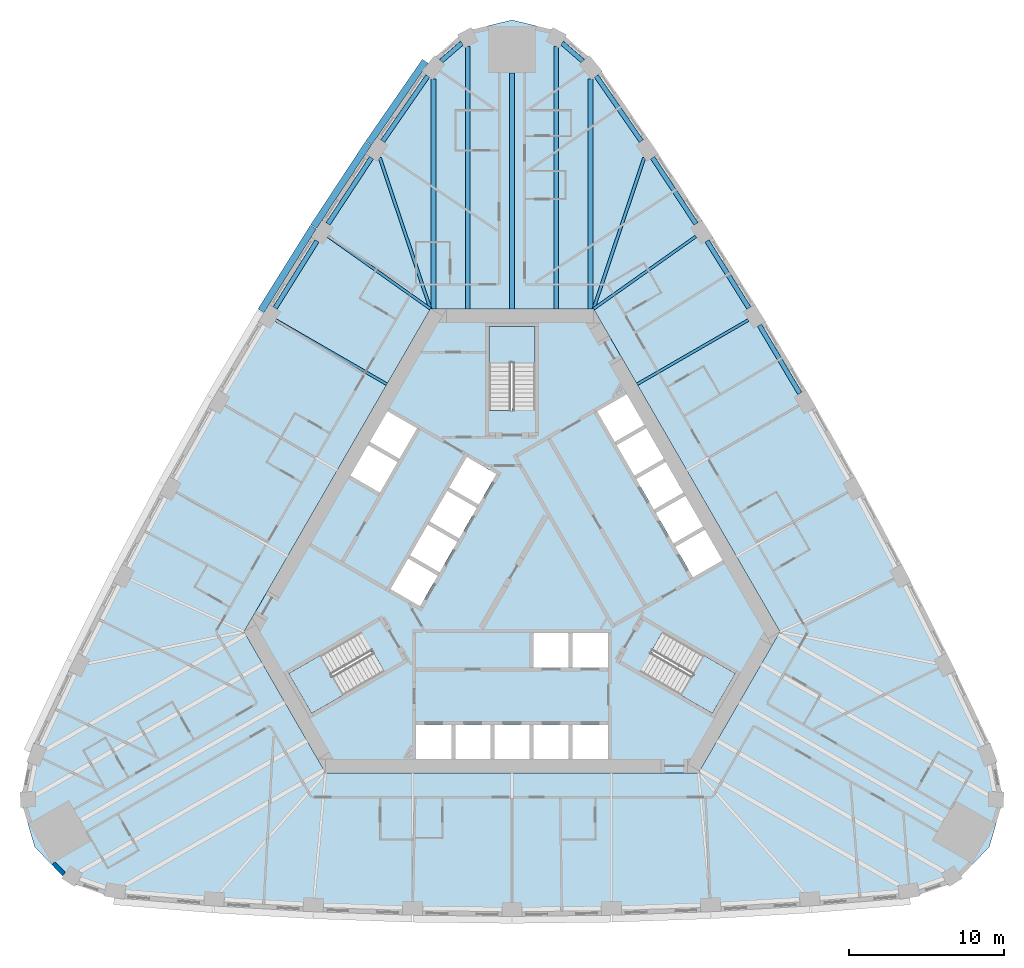
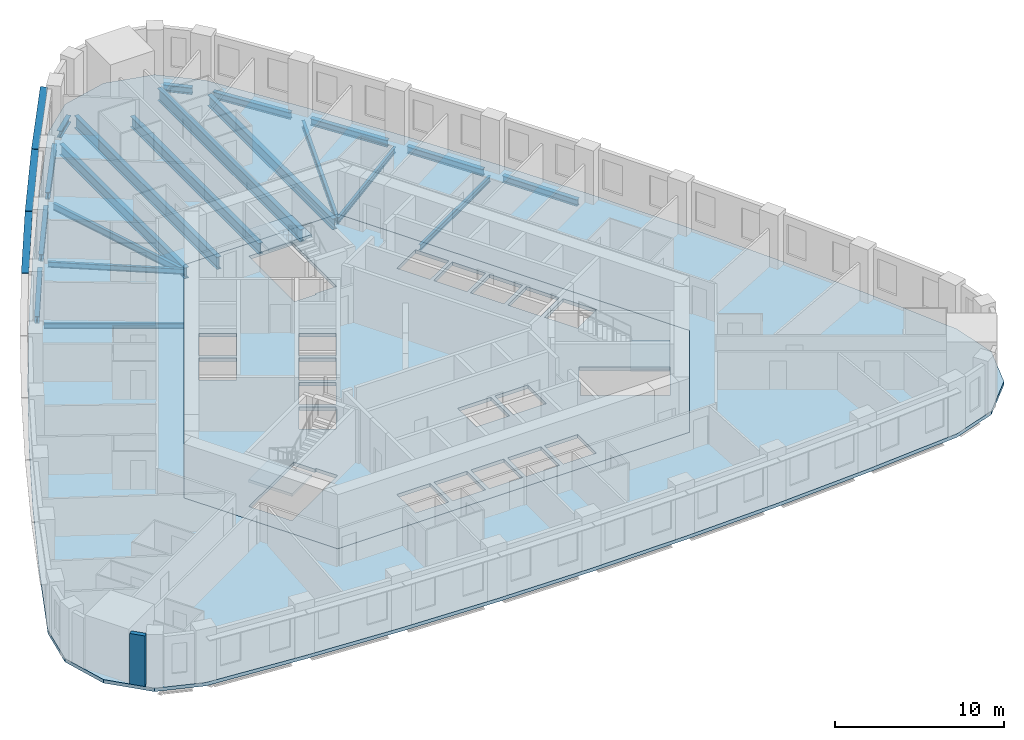
# One storey, part 2 of 12: 20 beams, 5 slabs, 3 members, 1 wall, 3 elements without a shape of their own.
"""IFC4 building model written with IfcOpenShell, lengths in metres."""

from ifc_helpers import new_model, si_unit, direction, frame, frame_2d, origin, origin_2d, place, context, subcontext, project, spatial, polyline, rectangle, i_section, outline, extrude, material, layer, layer_set, material_profile, profile_set, type_object, element, aggregate, save


model = new_model("IFC4")

# Units and contexts
model_context = context("Model", 3, precision=1e-05, world=origin(), true_north=direction((0.0, 1.0)))
body_context = subcontext(model_context, "Body", "Model", "MODEL_VIEW")
ifc_project = project(units=[si_unit("LENGTHUNIT", "METRE"), si_unit("AREAUNIT", "SQUARE_METRE"), si_unit("VOLUMEUNIT", "CUBIC_METRE"), si_unit("PLANEANGLEUNIT", "RADIAN"), si_unit("MASSUNIT", "GRAM", prefix="KILO")], contexts=[model_context])

# Site, building, storey
site_placement = place(None, origin())
site = spatial("IfcSite", under=ifc_project, at=site_placement, CompositionType="ELEMENT")
building_placement = place(site_placement, origin())
building = spatial("IfcBuilding", under=site, at=building_placement, Name="Mestral Congress Tower", CompositionType="ELEMENT")
storey_placement = place(building_placement, frame((0.0, 0.0, 111.0)))
storey = spatial("IfcBuildingStorey", under=building, at=storey_placement, Name="L26", CompositionType="ELEMENT", Elevation=111.0)

# Members
ifc_material_1 = material(Name="Glazed ceramic", Category="masonry")
ifc_material_profile_1 = material_profile(ifc_material_1, rectangle(XDim=0.449951171875, YDim=0.06005859375, at=origin_2d()), Name="Ceramic blade 450 x 60")
ifc_profile_set_1 = profile_set([ifc_material_profile_1], Name="Glazed ceramic")
member_type = type_object("IfcMemberType", Name="Facade sunshade blade 450 x 60", PredefinedType="USERDEFINED", material=ifc_profile_set_1)
member_placement = place(storey_placement, frame((-5.590576171875, 32.8505859375, 3.280029296875), z_axis=(-0.569144736399, -0.822237355652, 0.0), x_axis=(0.822237355652, -0.569144736399, 0.0)))
element("IfcMember", 1, at=member_placement, inside=storey, type_object=member_type, Name="Sunshade F2-00", ObjectType="SUNSHADE", PredefinedType="USERDEFINED", context=body_context, shape_type="SweptSolid", body=[
    extrude(rectangle(XDim=0.449951171875, YDim=0.06005859375, at=origin_2d()), origin(), (0.0, 0.0, 1.0), 6.421630859375),
])
for number, where, z_axis, x_axis, name in (
    (2, (-9.2705078125, 27.532958984375, 3.280029296875), (-0.549764307833, -0.835319822483, 0.0), (0.835319822483, -0.549764307833, 0.0), "Sunshade F2-01"),
    (3, (-12.797119140625, 22.173583984375, 3.280029296875), (-0.530060946156, -0.847959547007, 0.0), (0.847959547007, -0.530060946156, 0.0), "Sunshade F2-02"),
):
    element("IfcMember", number, at=place(storey_placement, frame(where, z_axis=z_axis, x_axis=x_axis)), inside=storey, type_object=member_type, Name=name, ObjectType="SUNSHADE", PredefinedType="USERDEFINED", context=body_context, shape_type="SweptSolid", body=[
        extrude(rectangle(XDim=0.449951171875, YDim=0.06005859375, at=origin_2d()), origin(), (0.0, 0.0, 1.0), 6.370361328125),
    ])

# Beams
ifc_material_2 = material(Name="Steel S355", Category="steel")
ifc_material_profile_2 = material_profile(ifc_material_2, i_section(OverallWidth=0.300048828125, OverallDepth=0.800048828125, WebThickness=0.017578125, FlangeThickness=0.032958984375, FilletRadius=0.030029296875, at=origin_2d()), Name="HEB 800")
ifc_profile_set_2 = profile_set([ifc_material_profile_2], Name="Steel S355")
beam_type_1 = type_object("IfcBeamType", Name="Floor beam HEB 800 S355", PredefinedType="BEAM", material=ifc_profile_set_2)
beam_1_placement = place(storey_placement, frame((5.056396484375, 31.72412109375, -0.64990234375), z_axis=(0.0, -1.0, 0.0), x_axis=(1.0, 0.0, 0.0)))
element("IfcBeam", 4, at=beam_1_placement, inside=storey, type_object=beam_type_1, Name="BM-L26-RB2-E08", PredefinedType="BEAM", context=body_context, shape_type="SweptSolid", body=[
    extrude(i_section(OverallWidth=0.300048828125, OverallDepth=0.800048828125, WebThickness=0.017578125, FlangeThickness=0.032958984375, FilletRadius=0.030029296875, at=origin_2d()), origin(), (0.0, 0.0, 1.0), 14.82421875),
])
beam_2_placement = place(storey_placement, frame((0.0, 32.098388671875, -0.64990234375), z_axis=(0.0, -1.0, 0.0), x_axis=(1.0, 0.0, 0.0)))
element("IfcBeam", 5, at=beam_2_placement, inside=storey, type_object=beam_type_1, Name="BM-L26-RB2-N", PredefinedType="BEAM", context=body_context, shape_type="SweptSolid", body=[
    extrude(i_section(OverallWidth=0.300048828125, OverallDepth=0.800048828125, WebThickness=0.017578125, FlangeThickness=0.032958984375, FilletRadius=0.030029296875, at=origin_2d()), origin(), (0.0, 0.0, 1.0), 15.198486328125),
])
beam_3_placement = place(storey_placement, frame((-5.056396484375, 31.72412109375, -0.64990234375), z_axis=(0.0, -1.0, 0.0), x_axis=(1.0, 0.0, 0.0)))
element("IfcBeam", 6, at=beam_3_placement, inside=storey, type_object=beam_type_1, Name="BM-L26-RB2-W00", PredefinedType="BEAM", context=body_context, shape_type="SweptSolid", body=[
    extrude(i_section(OverallWidth=0.300048828125, OverallDepth=0.800048828125, WebThickness=0.017578125, FlangeThickness=0.032958984375, FilletRadius=0.030029296875, at=origin_2d()), origin(), (0.0, 0.0, 1.0), 14.82421875),
])
ifc_material_profile_3 = material_profile(ifc_material_2, i_section(OverallWidth=0.300048828125, OverallDepth=0.89990234375, WebThickness=0.0185546875, FlangeThickness=0.034912109375, FilletRadius=0.030029296875, at=origin_2d()), Name="HEB 900")
ifc_profile_set_3 = profile_set([ifc_material_profile_3], Name="Steel S355")
beam_type_2 = type_object("IfcBeamType", Name="Floor beam HEB 900 S355", PredefinedType="BEAM", material=ifc_profile_set_3)
for number, where, z_axis, x_axis, name in (
    (7, (2.845703125, 33.794189453125, -0.699951171875), (0.0, -1.0, 0.0), (1.0, 0.0, 0.0), "BM-L26-RB2-N1"),
    (8, (-2.845703125, 33.794189453125, -0.699951171875), (0.0, -1.0, 0.0), (1.0, 0.0, 0.0), "BM-L26-RB2-N3"),
):
    element("IfcBeam", number, at=place(storey_placement, frame(where, z_axis=z_axis, x_axis=x_axis)), inside=storey, type_object=beam_type_2, Name=name, PredefinedType="BEAM", context=body_context, shape_type="SweptSolid", body=[
        extrude(i_section(OverallWidth=0.300048828125, OverallDepth=0.89990234375, WebThickness=0.0185546875, FlangeThickness=0.034912109375, FilletRadius=0.030029296875, at=origin_2d()), origin(), (0.0, 0.0, 1.0), 16.894287109375),
    ])
ifc_material_profile_4 = material_profile(ifc_material_2, i_section(OverallWidth=0.179931640625, OverallDepth=0.39990234375, WebThickness=0.008544921875, FlangeThickness=0.013427734375, FilletRadius=0.02099609375, at=origin_2d()), Name="IPE 400")
ifc_profile_set_4 = profile_set([ifc_material_profile_4], Name="Steel S355")
beam_type_3 = type_object("IfcBeamType", Name="Floor beam IPE 400 S355", PredefinedType="BEAM", material=ifc_profile_set_4)
beam_4_placement = place(storey_placement, frame((15.219482421875, 16.176513671875, -0.449951171875), z_axis=(-0.866015952286, -0.500016370119, 0.0), x_axis=(0.500016370119, -0.866015952286, 0.0)))
element("IfcBeam", 9, at=beam_4_placement, inside=storey, type_object=beam_type_3, Name="BM-L26-RB2-E05", PredefinedType="BEAM", context=body_context, shape_type="SweptSolid", body=[
    extrude(i_section(OverallWidth=0.179931640625, OverallDepth=0.39990234375, WebThickness=0.008544921875, FlangeThickness=0.013427734375, FilletRadius=0.02099609375, at=origin_2d()), origin(), (0.0, 0.0, 1.0), 8.268798828125),
])
for number, where, z_axis, x_axis, name in (
    (10, (11.849365234375, 21.568115234375, -0.449951171875), (-0.816232852676, -0.577723056673, 0.0), (0.577723056673, -0.816232852676, 0.0), "BM-L26-RB2-E06"),
    (11, (-11.849365234375, 21.568115234375, -0.449951171875), (0.816232852676, -0.577723056673, 0.0), (0.577723056673, 0.816232852676, 0.0), "BM-L26-RB2-W02"),
):
    element("IfcBeam", number, at=place(storey_placement, frame(where, z_axis=z_axis, x_axis=x_axis)), inside=storey, type_object=beam_type_3, Name=name, PredefinedType="BEAM", context=body_context, shape_type="SweptSolid", body=[
        extrude(i_section(OverallWidth=0.179931640625, OverallDepth=0.39990234375, WebThickness=0.008544921875, FlangeThickness=0.013427734375, FilletRadius=0.02099609375, at=origin_2d()), origin(), (0.0, 0.0, 1.0), 8.080322265625),
    ])
beam_5_placement = place(storey_placement, frame((-15.219482421875, 16.176513671875, -0.449951171875), z_axis=(0.866015952286, -0.500016370119, 0.0), x_axis=(0.500016370119, 0.866015952286, 0.0)))
element("IfcBeam", 12, at=beam_5_placement, inside=storey, type_object=beam_type_3, Name="BM-L26-RB2-W03", PredefinedType="BEAM", context=body_context, shape_type="SweptSolid", body=[
    extrude(i_section(OverallWidth=0.179931640625, OverallDepth=0.39990234375, WebThickness=0.008544921875, FlangeThickness=0.013427734375, FilletRadius=0.02099609375, at=origin_2d()), origin(), (0.0, 0.0, 1.0), 8.268798828125),
])
ifc_material_profile_5 = material_profile(ifc_material_2, i_section(OverallWidth=0.199951171875, OverallDepth=0.5, WebThickness=0.01025390625, FlangeThickness=0.01611328125, FilletRadius=0.02099609375, at=origin_2d()), Name="IPE 500")
ifc_profile_set_5 = profile_set([ifc_material_profile_5], Name="Steel S355")
beam_type_4 = type_object("IfcBeamType", Name="Floor beam IPE 500 S355", PredefinedType="BEAM", material=ifc_profile_set_5)
for number, where, z_axis, x_axis, name in (
    (13, (8.5185546875, 26.636962890625, -0.5), (-0.317888994992, -0.948127938025, 0.0), (0.948127938025, -0.317888994992, 0.0), "BM-L26-RB2-E07"),
    (14, (-8.5185546875, 26.636962890625, -0.5), (0.317888994992, -0.948127938025, 0.0), (0.948127938025, 0.317888994992, 0.0), "BM-L26-RB2-W01"),
):
    element("IfcBeam", number, at=place(storey_placement, frame(where, z_axis=z_axis, x_axis=x_axis)), inside=storey, type_object=beam_type_4, Name=name, PredefinedType="BEAM", context=body_context, shape_type="SweptSolid", body=[
        extrude(i_section(OverallWidth=0.199951171875, OverallDepth=0.5, WebThickness=0.01025390625, FlangeThickness=0.01611328125, FilletRadius=0.02099609375, at=origin_2d()), origin(), (0.0, 0.0, 1.0), 10.269775390625),
    ])
ifc_material_profile_6 = material_profile(ifc_material_2, i_section(OverallWidth=0.300048828125, OverallDepth=0.489990234375, WebThickness=0.011962890625, FlangeThickness=0.02294921875, FilletRadius=0.027099609375, at=origin_2d()), Name="HEA 500")
ifc_profile_set_6 = profile_set([ifc_material_profile_6], Name="Steel S355")
beam_type_5 = type_object("IfcBeamType", Name="Spandrel beam HEA 500 S355", PredefinedType="BEAM", material=ifc_profile_set_6)
for number, where, z_axis, x_axis, name in (
    (15, (18.542236328125, 11.455810546875, -0.4951171875), (-0.510081870963, 0.860125854114, 0.0), (-0.860125854114, -0.510081870963, 0.0), "SP-L26-SB2-E04"),
    (16, (15.2646484375, 16.95263671875, -0.4951171875), (-0.530046273959, 0.847968718446, 0.0), (-0.847968718446, -0.530046273959, 0.0), "SP-L26-SB2-E05"),
):
    element("IfcBeam", number, at=place(storey_placement, frame(where, z_axis=z_axis, x_axis=x_axis)), inside=storey, type_object=beam_type_5, Name=name, PredefinedType="BEAM", context=body_context, shape_type="SweptSolid", body=[
        extrude(i_section(OverallWidth=0.300048828125, OverallDepth=0.489990234375, WebThickness=0.011962890625, FlangeThickness=0.02294921875, FilletRadius=0.027099609375, at=origin_2d()), origin(), (0.0, 0.0, 1.0), 5.099853515625),
    ])
beam_6_placement = place(storey_placement, frame((11.859619140625, 22.371337890625, -0.4951171875), z_axis=(-0.549729920898, 0.835342453171, 0.0), x_axis=(-0.835342453171, -0.549729920898, 0.0)))
element("IfcBeam", 17, at=beam_6_placement, inside=storey, type_object=beam_type_5, Name="SP-L26-SB2-E06", PredefinedType="BEAM", context=body_context, shape_type="SweptSolid", body=[
    extrude(i_section(OverallWidth=0.300048828125, OverallDepth=0.489990234375, WebThickness=0.011962890625, FlangeThickness=0.02294921875, FilletRadius=0.027099609375, at=origin_2d()), origin(), (0.0, 0.0, 1.0), 5.099609375),
])
beam_7_placement = place(storey_placement, frame((8.32861328125, 27.708740234375, -0.4951171875), z_axis=(-0.569105377225, 0.822264598298, 0.0), x_axis=(-0.822264598298, -0.569105377225, 0.0)))
element("IfcBeam", 18, at=beam_7_placement, inside=storey, type_object=beam_type_5, Name="SP-L26-SB2-E07", PredefinedType="BEAM", context=body_context, shape_type="SweptSolid", body=[
    extrude(i_section(OverallWidth=0.300048828125, OverallDepth=0.489990234375, WebThickness=0.011962890625, FlangeThickness=0.02294921875, FilletRadius=0.027099609375, at=origin_2d()), origin(), (0.0, 0.0, 1.0), 5.09765625),
])
for number, where, z_axis, x_axis, name in (
    (19, (4.558349609375, 32.869140625, -0.4951171875), (-0.754917058401, 0.655820276398, 0.0), (-0.655820276398, -0.754917058401, 0.0), "SP-L26-SB2-E08"),
    (20, (-3.234130859375, 34.01953125, -0.4951171875), (-0.754917058401, -0.655820276398, 0.0), (0.655820276398, -0.754917058401, 0.0), "SP-L26-SB2-N3"),
):
    element("IfcBeam", number, at=place(storey_placement, frame(where, z_axis=z_axis, x_axis=x_axis)), inside=storey, type_object=beam_type_5, Name=name, PredefinedType="BEAM", context=body_context, shape_type="SweptSolid", body=[
        extrude(i_section(OverallWidth=0.300048828125, OverallDepth=0.489990234375, WebThickness=0.011962890625, FlangeThickness=0.02294921875, FilletRadius=0.027099609375, at=origin_2d()), origin(), (0.0, 0.0, 1.0), 1.754150390625),
    ])
beam_8_placement = place(storey_placement, frame((-5.427490234375, 31.900390625, -0.4951171875), z_axis=(-0.569105377225, -0.822264598298, 0.0), x_axis=(0.822264598298, -0.569105377225, 0.0)))
element("IfcBeam", 21, at=beam_8_placement, inside=storey, type_object=beam_type_5, Name="SP-L26-SB2-W00", PredefinedType="BEAM", context=body_context, shape_type="SweptSolid", body=[
    extrude(i_section(OverallWidth=0.300048828125, OverallDepth=0.489990234375, WebThickness=0.011962890625, FlangeThickness=0.02294921875, FilletRadius=0.027099609375, at=origin_2d()), origin(), (0.0, 0.0, 1.0), 5.09765625),
])
beam_9_placement = place(storey_placement, frame((-9.05615234375, 26.63134765625, -0.4951171875), z_axis=(-0.549729920898, -0.835342453171, 0.0), x_axis=(0.835342453171, -0.549729920898, 0.0)))
element("IfcBeam", 22, at=beam_9_placement, inside=storey, type_object=beam_type_5, Name="SP-L26-SB2-W01", PredefinedType="BEAM", context=body_context, shape_type="SweptSolid", body=[
    extrude(i_section(OverallWidth=0.300048828125, OverallDepth=0.489990234375, WebThickness=0.011962890625, FlangeThickness=0.02294921875, FilletRadius=0.027099609375, at=origin_2d()), origin(), (0.0, 0.0, 1.0), 5.099609375),
])
beam_10_placement = place(storey_placement, frame((-12.5615234375, 21.277099609375, -0.4951171875), z_axis=(-0.530046273959, -0.847968718446, 0.0), x_axis=(0.847968718446, -0.530046273959, 0.0)))
element("IfcBeam", 23, at=beam_10_placement, inside=storey, type_object=beam_type_5, Name="SP-L26-SB2-W02", PredefinedType="BEAM", context=body_context, shape_type="SweptSolid", body=[
    extrude(i_section(OverallWidth=0.300048828125, OverallDepth=0.489990234375, WebThickness=0.011962890625, FlangeThickness=0.02294921875, FilletRadius=0.027099609375, at=origin_2d()), origin(), (0.0, 0.0, 1.0), 5.099853515625),
])

# Slabs
ifc_material_3 = material(Name="Concrete C35/45", Category="concrete")
ifc_layer_1 = layer(ifc_material_3, 0.25)
ifc_layer_set_1 = layer_set([ifc_layer_1], Name="Concrete C35/45")
slab_type_1 = type_object("IfcSlabType", Name="Composite floor slab 250", PredefinedType="FLOOR", material=ifc_layer_set_1)
placement_1 = place(storey_placement, frame((0.0, 0.0, -0.25)))
element("IfcSlab", 24, at=placement_1, inside=storey, type_object=slab_type_1, Name="SL-L26", PredefinedType="FLOOR", context=body_context, shape_type="SweptSolid", body=[
    extrude(outline(polyline([(-25.656005859375, -21.041015625), (-28.581298828125, -20.03271484375), (-30.75390625, -17.755859375), (-31.639404296875, -14.73583984375), (-31.050048828125, -11.697998046875), (-28.28759765625, -5.856689453125), (-25.412109375, -0.12744140625), (-22.403564453125, 5.533203125), (-19.263671875, 11.121826171875), (-15.99365234375, 16.635498046875), (-12.595703125, 22.0712890625), (-9.07177734375, 27.426025390625), (-5.39404296875, 32.739013671875), (-3.05810546875, 34.768310546875), (0.0, 35.51171875), (3.05810546875, 34.768310546875), (5.39404296875, 32.739013671875), (9.07177734375, 27.426025390625), (12.595703125, 22.0712890625), (15.99365234375, 16.635498046875), (19.263671875, 11.121826171875), (22.403564453125, 5.533203125), (25.412109375, -0.12744140625), (28.28759765625, -5.856689453125), (31.050048828125, -11.697998046875), (31.639404296875, -14.73583984375), (30.75390625, -17.755859375), (28.581298828125, -20.03271484375), (25.656005859375, -21.041015625), (19.2158203125, -21.5693359375), (12.81640625, -21.94384765625), (6.409912109375, -22.168701171875), (0.0, -22.24365234375), (-6.409912109375, -22.168701171875), (-12.81640625, -21.94384765625), (-19.2158203125, -21.5693359375), (-25.656005859375, -21.041015625)]), holes=[polyline([(-5.25390625, 16.89990234375), (-17.2626953125, -3.89990234375), (-12.0087890625, -13.0), (12.0087890625, -13.0), (17.2626953125, -3.89990234375), (5.25390625, 16.89990234375), (-5.25390625, 16.89990234375)])]), origin(), (0.0, 0.0, 1.0), 0.25),
])
ifc_material_4 = material(Name="Concrete C60/75", Category="concrete")
ifc_layer_2 = layer(ifc_material_4, 0.25)
ifc_layer_set_2 = layer_set([ifc_layer_2], Name="Concrete C60/75")
slab_type_2 = type_object("IfcSlabType", Name="Core floor slab RC 250", PredefinedType="FLOOR", material=ifc_layer_set_2)
element("IfcSlab", 25, at=placement_1, inside=storey, type_object=slab_type_2, Name="L26 core floor", PredefinedType="FLOOR", context=body_context, shape_type="SweptSolid", body=[
    extrude(outline(polyline([(12.0087890625, -13.0), (-12.0087890625, -13.0), (-17.2626953125, -3.89990234375), (-5.25390625, 16.89990234375), (5.25390625, 16.89990234375), (17.2626953125, -3.89990234375), (12.0087890625, -13.0)]), holes=[polyline([(-3.905029296875, -9.89990234375), (-6.175048828125, -9.89990234375), (-6.175048828125, -12.10009765625), (-3.905029296875, -12.10009765625), (-3.905029296875, -9.89990234375)]), polyline([(-1.385009765625, -9.89990234375), (-3.655029296875, -9.89990234375), (-3.655029296875, -12.10009765625), (-1.385009765625, -12.10009765625), (-1.385009765625, -9.89990234375)]), polyline([(1.135009765625, -9.89990234375), (-1.135009765625, -9.89990234375), (-1.135009765625, -12.10009765625), (1.135009765625, -12.10009765625), (1.135009765625, -9.89990234375)]), polyline([(-9.0673828125, -5.235107421875), (-9.8046875, -3.95751953125), (-14.37744140625, -6.59765625), (-12.90234375, -9.15234375), (-8.234619140625, -6.45751953125), (-8.971923828125, -5.179931640625), (-9.0673828125, -5.235107421875)]), polyline([(-7.826904296875, -1.156494140625), (-5.921630859375, -2.256591796875), (-4.78662109375, -0.29052734375), (-6.69189453125, 0.809326171875), (-7.826904296875, -1.156494140625)]), polyline([(-4.66162109375, -0.07421875), (-3.526611328125, 1.8916015625), (-5.431884765625, 2.99169921875), (-6.56689453125, 1.02587890625), (-4.66162109375, -0.07421875)]), polyline([(-3.401611328125, 2.1083984375), (-2.2666015625, 4.07421875), (-4.171875, 5.174072265625), (-5.306884765625, 3.208251953125), (-3.401611328125, 2.1083984375)]), polyline([(-2.1416015625, 4.29052734375), (-1.006591796875, 6.256591796875), (-2.911865234375, 7.3564453125), (-4.046875, 5.390625), (-2.1416015625, 4.29052734375)]), polyline([(-10.41650390625, 6.158203125), (-8.51123046875, 5.058349609375), (-7.376220703125, 7.024169921875), (-9.281494140625, 8.1240234375), (-10.41650390625, 6.158203125)]), polyline([(-9.156494140625, 8.340576171875), (-7.251220703125, 7.240478515625), (-6.1162109375, 9.20654296875), (-8.021484375, 10.306396484375), (-9.156494140625, 8.340576171875)]), polyline([(1.47509765625, 10.469970703125), (1.47509765625, 15.75), (-1.47509765625, 15.75), (-1.47509765625, 10.360107421875), (0.0, 10.360107421875), (0.0, 10.469970703125), (1.47509765625, 10.469970703125)]), polyline([(3.655029296875, -9.89990234375), (1.385009765625, -9.89990234375), (1.385009765625, -12.10009765625), (3.655029296875, -12.10009765625), (3.655029296875, -9.89990234375)]), polyline([(6.175048828125, -9.89990234375), (3.905029296875, -9.89990234375), (3.905029296875, -12.10009765625), (6.175048828125, -12.10009765625), (6.175048828125, -9.89990234375)]), polyline([(9.0673828125, -5.235107421875), (8.329833984375, -6.512451171875), (12.90234375, -9.15234375), (14.37744140625, -6.59765625), (9.70947265625, -3.902587890625), (8.971923828125, -5.179931640625), (9.0673828125, -5.235107421875)]), polyline([(3.655029296875, -6.199951171875), (3.655029296875, -4.0), (1.385009765625, -4.0), (1.385009765625, -6.199951171875), (3.655029296875, -6.199951171875)]), polyline([(6.175048828125, -4.0), (3.905029296875, -4.0), (3.905029296875, -6.199951171875), (6.175048828125, -6.199951171875), (6.175048828125, -4.0)]), polyline([(12.431396484375, 2.668212890625), (10.526123046875, 1.568115234375), (11.6611328125, -0.397705078125), (13.56640625, 0.702392578125), (12.431396484375, 2.668212890625)]), polyline([(11.17138671875, 4.8505859375), (9.26611328125, 3.75048828125), (10.401123046875, 1.78466796875), (12.306396484375, 2.884765625), (11.17138671875, 4.8505859375)]), polyline([(8.006103515625, 5.932861328125), (9.14111328125, 3.967041015625), (11.04638671875, 5.067138671875), (9.911376953125, 7.032958984375), (8.006103515625, 5.932861328125)]), polyline([(8.6513671875, 9.21533203125), (6.74609375, 8.115234375), (7.881103515625, 6.1494140625), (9.786376953125, 7.24951171875), (8.6513671875, 9.21533203125)]), polyline([(7.391357421875, 11.397705078125), (5.486083984375, 10.297607421875), (6.62109375, 8.331787109375), (8.5263671875, 9.431884765625), (7.391357421875, 11.397705078125)])]), origin(), (0.0, 0.0, 1.0), 0.25),
])

# Stair, slab
stair_type = type_object("IfcStairType", Name="Exit stair 1400", PredefinedType="HALF_TURN_STAIR", material=ifc_material_4)
placement_2 = place(storey_placement, origin())
stair_1 = element("IfcStair", 26, at=placement_2, inside=storey, type_object=stair_type, Name="L26 ST1", PredefinedType="HALF_TURN_STAIR")
ifc_layer_3 = layer(ifc_material_4, 0.199951171875)
ifc_layer_set_3 = layer_set([ifc_layer_3], Name="Concrete C60/75")
slab_type_3 = type_object("IfcSlabType", Name="Exit stair landing 200", PredefinedType="LANDING", material=ifc_layer_set_3)
placement_3 = place(storey_placement, frame((0.0, 0.0, 1.75)))
slab_3 = element("IfcSlab", 27, at=placement_3, type_object=slab_type_3, Name="ST1 landing 1", PredefinedType="LANDING", context=body_context, shape_type="SweptSolid", body=[
    extrude(outline(polyline([(10.879638671875, -7.99609375), (12.364501953125, -5.424072265625), (14.39111328125, -6.593994140625), (12.906005859375, -9.166015625), (10.879638671875, -7.99609375)])), origin(), (0.0, 0.0, 1.0), 0.199951171875),
])
aggregate(stair_1, [slab_3])

stair_2 = element("IfcStair", 28, at=placement_2, inside=storey, type_object=stair_type, Name="L26 ST2", PredefinedType="HALF_TURN_STAIR")
slab_4 = element("IfcSlab", 29, at=placement_3, type_object=slab_type_3, Name="ST2 landing 1", PredefinedType="LANDING", context=body_context, shape_type="SweptSolid", body=[
    extrude(outline(polyline([(1.485107421875, 13.419921875), (-1.485107421875, 13.419921875), (-1.485107421875, 15.760009765625), (1.485107421875, 15.760009765625), (1.485107421875, 13.419921875)])), origin(), (0.0, 0.0, 1.0), 0.199951171875),
])
aggregate(stair_2, [slab_4])

stair_3 = element("IfcStair", 30, at=placement_2, inside=storey, type_object=stair_type, Name="L26 ST3", PredefinedType="HALF_TURN_STAIR")
slab_5 = element("IfcSlab", 31, at=placement_3, type_object=slab_type_3, Name="ST3 landing 1", PredefinedType="LANDING", context=body_context, shape_type="SweptSolid", body=[
    extrude(outline(polyline([(-12.364501953125, -5.424072265625), (-10.879638671875, -7.99609375), (-12.906005859375, -9.166015625), (-14.39111328125, -6.593994140625), (-12.364501953125, -5.424072265625)])), origin(), (0.0, 0.0, 1.0), 0.199951171875),
])
aggregate(stair_3, [slab_5])

# Wall
ifc_material_5 = material(Name="Precast concrete C40/50 with limestone facing", Category="masonry")
ifc_layer_4 = layer(ifc_material_5, 0.2900390625)
ifc_layer_set_4 = layer_set([ifc_layer_4], Name="Precast concrete C40/50 with limestone facing")
wall_type = type_object("IfcWallType", Name="Facade stone wall 290", PredefinedType="SOLIDWALL", material=ifc_layer_set_4)
wall_placement = place(storey_placement, frame((-29.5341796875, -18.82421875, 0.0), z_axis=(0.0, 0.0, 1.0), x_axis=(0.690414427296, -0.723414071319, 0.0)))
element("IfcWall", 32, at=wall_placement, inside=storey, type_object=wall_type, Name="Facade wall K2-2", PredefinedType="SOLIDWALL", context=body_context, shape_type="SweptSolid", body=[
    extrude(rectangle(XDim=0.947021484375, YDim=0.2900390625, at=frame_2d((0.4736328125, 0.0))), origin(), (0.0, 0.0, 1.0), 3.64990234375),
])

save(model, "model.ifc")
